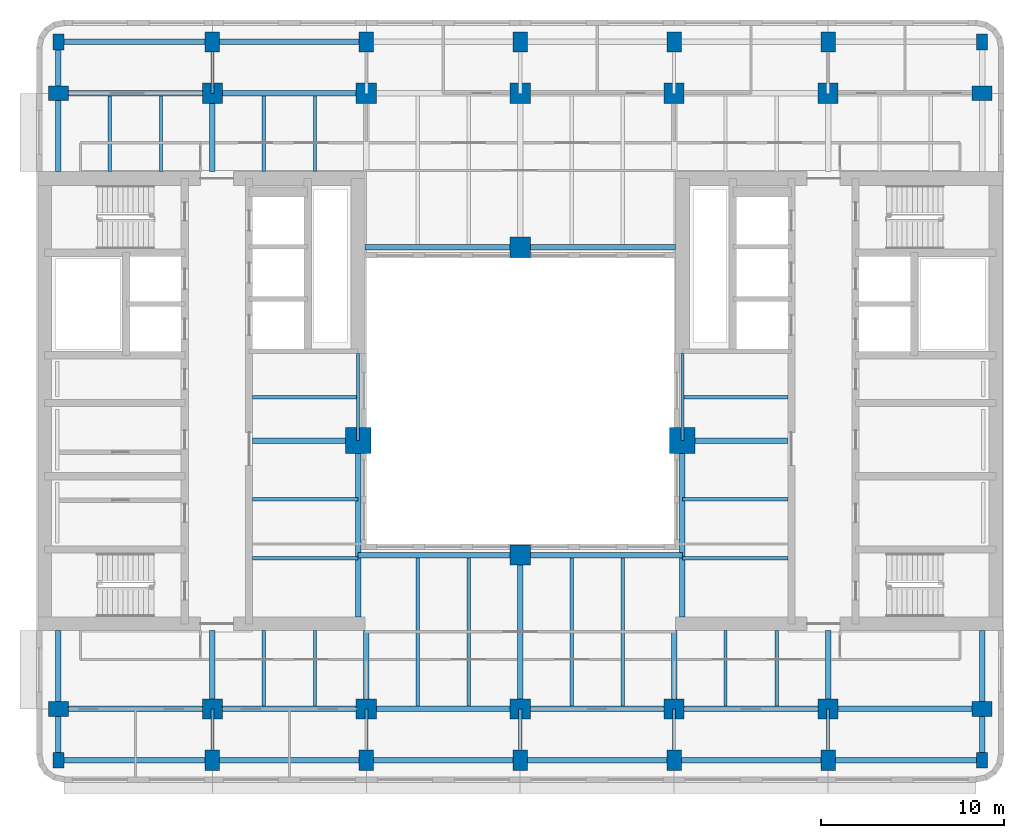
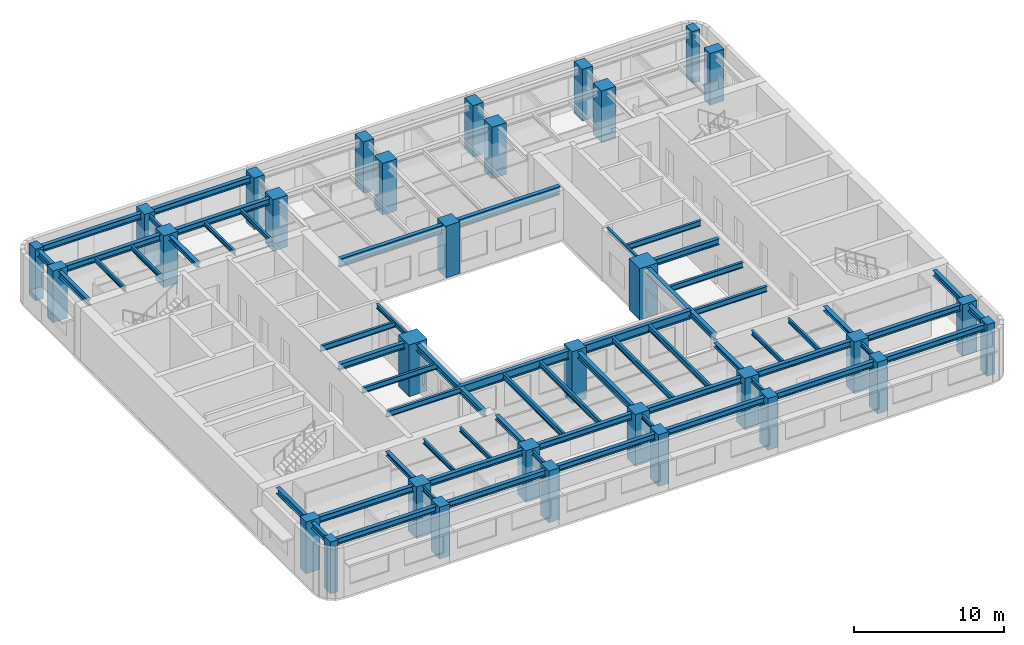
# One storey, part 1 of 11: 62 beams, 32 columns.
"""IFC4 building model written with IfcOpenShell, lengths in metres."""

from ifc_helpers import new_model, si_unit, direction, frame, origin, origin_2d, place, context, subcontext, project, spatial, rectangle, i_section, extrude, material, material_profile, profile_set, type_object, element, save


model = new_model("IFC4")

# Units and contexts
model_context = context("Model", 3, precision=1e-05, world=origin(), true_north=direction((0.0, 1.0)))
body_context = subcontext(model_context, "Body", "Model", "MODEL_VIEW")
ifc_project = project(units=[si_unit("LENGTHUNIT", "METRE"), si_unit("AREAUNIT", "SQUARE_METRE"), si_unit("VOLUMEUNIT", "CUBIC_METRE"), si_unit("PLANEANGLEUNIT", "RADIAN"), si_unit("MASSUNIT", "GRAM", prefix="KILO")], contexts=[model_context])

# Site, building, storey
site_placement = place(None, origin())
site = spatial("IfcSite", under=ifc_project, at=site_placement, CompositionType="ELEMENT")
building_placement = place(site_placement, origin())
building = spatial("IfcBuilding", under=site, at=building_placement, Name="Claustro Exchange Tower", CompositionType="ELEMENT")
storey_placement = place(building_placement, frame((0.0, 0.0, 207.0)))
storey = spatial("IfcBuildingStorey", under=building, at=storey_placement, Name="L47", CompositionType="ELEMENT", Elevation=207.0)

# Columns
ifc_material_1 = material(Name="Concrete HA-70 (C70/85)", Category="concrete")
ifc_material_profile_1 = material_profile(ifc_material_1, rectangle(XDim=1.39990234375, YDim=1.39990234375, at=origin_2d()), Name="RC 1400x1400")
ifc_profile_set_1 = profile_set([ifc_material_profile_1], Name="Concrete HA-70 (C70/85)")
column_type_1 = type_object("IfcColumnType", Name="C0 RC 1400x1400 HA-70 column", PredefinedType="COLUMN", material=ifc_profile_set_1)
for number, where, z_axis, x_axis, name in (
    (1, (16.35009765625, 23.050048828125, 0.0), (0.0, 0.0, 1.0), (1.0, 0.0, 0.0), "Column C0 2+7950/C+6250 L47"),
    (2, (34.050048828125, 23.050048828125, 0.0), (0.0, 0.0, 1.0), (1.0, 0.0, 0.0), "Column C0 5+450/C+6250 L47"),
):
    element("IfcColumn", number, at=place(storey_placement, frame(where, z_axis=z_axis, x_axis=x_axis)), inside=storey, type_object=column_type_1, Name=name, PredefinedType="COLUMN", context=body_context, shape_type="SweptSolid", body=[
        extrude(rectangle(XDim=1.39990234375, YDim=1.39990234375, at=origin_2d()), origin(), (0.0, 0.0, 1.0), 4.199951171875),
    ])
ifc_material_2 = material(Name="Concrete HA-70 (C70/85)", Category="concrete")
ifc_material_profile_2 = material_profile(ifc_material_2, rectangle(XDim=1.10009765625, YDim=1.10009765625, at=origin_2d()), Name="RC 1100x1100")
ifc_profile_set_2 = profile_set([ifc_material_profile_2], Name="Concrete HA-70 (C70/85)")
column_type_2 = type_object("IfcColumnType", Name="C17 RC 1100x1100 HA-70 column", PredefinedType="COLUMN", material=ifc_profile_set_2)
for number, where, z_axis, x_axis, name in (
    (3, (8.39990234375, 8.39990234375, 0.0), (0.0, 0.0, 1.0), (1.0, 0.0, 0.0), "Column C17 2/B L47"),
    (4, (8.39990234375, 42.0, 0.0), (0.0, 0.0, 1.0), (1.0, 0.0, 0.0), "Column C17 2/F L47"),
    (5, (16.800048828125, 8.39990234375, 0.0), (0.0, 0.0, 1.0), (1.0, 0.0, 0.0), "Column C17 3/B L47"),
    (6, (16.800048828125, 42.0, 0.0), (0.0, 0.0, 1.0), (1.0, 0.0, 0.0), "Column C17 3/F L47"),
    (7, (25.199951171875, 8.39990234375, 0.0), (0.0, 0.0, 1.0), (1.0, 0.0, 0.0), "Column C17 4/B L47"),
    (8, (25.199951171875, 42.0, 0.0), (0.0, 0.0, 1.0), (1.0, 0.0, 0.0), "Column C17 4/F L47"),
    (9, (25.199951171875, 16.800048828125, 0.0), (0.0, 0.0, 1.0), (1.0, 0.0, 0.0), "Column C17 4/C L47"),
    (10, (25.199951171875, 33.60009765625, 0.0), (0.0, 0.0, 1.0), (1.0, 0.0, 0.0), "Column C17 4/E L47"),
    (11, (33.60009765625, 8.39990234375, 0.0), (0.0, 0.0, 1.0), (1.0, 0.0, 0.0), "Column C17 5/B L47"),
    (12, (33.60009765625, 42.0, 0.0), (0.0, 0.0, 1.0), (1.0, 0.0, 0.0), "Column C17 5/F L47"),
    (13, (42.0, 8.39990234375, 0.0), (0.0, 0.0, 1.0), (1.0, 0.0, 0.0), "Column C17 6/B L47"),
    (14, (42.0, 42.0, 0.0), (0.0, 0.0, 1.0), (1.0, 0.0, 0.0), "Column C17 6/F L47"),
):
    element("IfcColumn", number, at=place(storey_placement, frame(where, z_axis=z_axis, x_axis=x_axis)), inside=storey, type_object=column_type_2, Name=name, PredefinedType="COLUMN", context=body_context, shape_type="SweptSolid", body=[
        extrude(rectangle(XDim=1.10009765625, YDim=1.10009765625, at=origin_2d()), origin(), (0.0, 0.0, 1.0), 4.199951171875),
    ])
ifc_material_3 = material(Name="Concrete HA-50 (C50/60)", Category="concrete")
ifc_material_profile_3 = material_profile(ifc_material_3, rectangle(XDim=0.800048828125, YDim=1.10009765625, at=origin_2d()), Name="RC 800x1100")
ifc_profile_set_3 = profile_set([ifc_material_profile_3], Name="Concrete HA-50 (C50/60)")
column_type_3 = type_object("IfcColumnType", Name="C23 RC 800x1100 HA-50 perimeter column", PredefinedType="COLUMN", material=ifc_profile_set_3)
for number, where, z_axis, x_axis, name in (
    (15, (0.0, 8.39990234375, 0.0), (0.0, 0.0, 1.0), (0.0, 1.0, 0.0), "Column C23 1/B L47"),
    (16, (0.0, 42.0, 0.0), (0.0, 0.0, 1.0), (0.0, 1.0, 0.0), "Column C23 1/F L47"),
    (17, (8.39990234375, 5.60009765625, 0.0), (0.0, 0.0, 1.0), (1.0, 0.0, 0.0), "Column C23 2/A+5600 L47"),
    (18, (8.39990234375, 44.800048828125, 0.0), (0.0, 0.0, 1.0), (1.0, 0.0, 0.0), "Column C23 2/F+2800 L47"),
    (19, (16.800048828125, 5.60009765625, 0.0), (0.0, 0.0, 1.0), (1.0, 0.0, 0.0), "Column C23 3/A+5600 L47"),
    (20, (16.800048828125, 44.800048828125, 0.0), (0.0, 0.0, 1.0), (1.0, 0.0, 0.0), "Column C23 3/F+2800 L47"),
    (21, (25.199951171875, 5.60009765625, 0.0), (0.0, 0.0, 1.0), (1.0, 0.0, 0.0), "Column C23 4/A+5600 L47"),
    (22, (25.199951171875, 44.800048828125, 0.0), (0.0, 0.0, 1.0), (1.0, 0.0, 0.0), "Column C23 4/F+2800 L47"),
    (23, (33.60009765625, 5.60009765625, 0.0), (0.0, 0.0, 1.0), (1.0, 0.0, 0.0), "Column C23 5/A+5600 L47"),
    (24, (33.60009765625, 44.800048828125, 0.0), (0.0, 0.0, 1.0), (1.0, 0.0, 0.0), "Column C23 5/F+2800 L47"),
    (25, (42.0, 5.60009765625, 0.0), (0.0, 0.0, 1.0), (1.0, 0.0, 0.0), "Column C23 6/A+5600 L47"),
    (26, (42.0, 44.800048828125, 0.0), (0.0, 0.0, 1.0), (1.0, 0.0, 0.0), "Column C23 6/F+2800 L47"),
    (27, (50.39990234375, 8.39990234375, 0.0), (0.0, 0.0, 1.0), (0.0, 1.0, 0.0), "Column C23 7/B L47"),
    (28, (50.39990234375, 42.0, 0.0), (0.0, 0.0, 1.0), (0.0, 1.0, 0.0), "Column C23 7/F L47"),
):
    element("IfcColumn", number, at=place(storey_placement, frame(where, z_axis=z_axis, x_axis=x_axis)), inside=storey, type_object=column_type_3, Name=name, PredefinedType="COLUMN", context=body_context, shape_type="SweptSolid", body=[
        extrude(rectangle(XDim=0.800048828125, YDim=1.10009765625, at=origin_2d()), origin(), (0.0, 0.0, 1.0), 4.199951171875),
    ])
ifc_material_4 = material(Name="Concrete HA-50 (C50/60)", Category="concrete")
ifc_material_profile_4 = material_profile(ifc_material_4, rectangle(XDim=0.60009765625, YDim=0.85009765625, at=origin_2d()), Name="RC 600x850")
ifc_profile_set_4 = profile_set([ifc_material_profile_4], Name="Concrete HA-50 (C50/60)")
column_type_4 = type_object("IfcColumnType", Name="C25 RC 600x850 HA-50 corner column", PredefinedType="COLUMN", material=ifc_profile_set_4)
for number, where, z_axis, x_axis, name in (
    (29, (0.0, 5.60009765625, 0.0), (0.0, 0.0, 1.0), (1.0, 0.0, 0.0), "Column C25 1/A+5600 L47"),
    (30, (0.0, 44.800048828125, 0.0), (0.0, 0.0, 1.0), (1.0, 0.0, 0.0), "Column C25 1/F+2800 L47"),
    (31, (50.39990234375, 5.60009765625, 0.0), (0.0, 0.0, 1.0), (1.0, 0.0, 0.0), "Column C25 7/A+5600 L47"),
    (32, (50.39990234375, 44.800048828125, 0.0), (0.0, 0.0, 1.0), (1.0, 0.0, 0.0), "Column C25 7/F+2800 L47"),
):
    element("IfcColumn", number, at=place(storey_placement, frame(where, z_axis=z_axis, x_axis=x_axis)), inside=storey, type_object=column_type_4, Name=name, PredefinedType="COLUMN", context=body_context, shape_type="SweptSolid", body=[
        extrude(rectangle(XDim=0.60009765625, YDim=0.85009765625, at=origin_2d()), origin(), (0.0, 0.0, 1.0), 4.199951171875),
    ])

# Beams
ifc_material_5 = material(Name="Steel S355", Category="steel")
ifc_material_profile_5 = material_profile(ifc_material_5, i_section(OverallWidth=0.300048828125, OverallDepth=0.68994140625, WebThickness=0.014404296875, FlangeThickness=0.027099609375, FilletRadius=0.027099609375, at=origin_2d()), Name="HE 700 A")
ifc_profile_set_5 = profile_set([ifc_material_profile_5], Name="Steel S355")
beam_type_1 = type_object("IfcBeamType", Name="B13 HE 700 A light well edge girder", PredefinedType="BEAM", material=ifc_profile_set_5)
beam_1_placement = place(storey_placement, frame((16.35009765625, 16.800048828125, 3.705078125), z_axis=(1.0, 0.0, 0.0), x_axis=(0.0, 1.0, 0.0)))
element("IfcBeam", 33, at=beam_1_placement, inside=storey, type_object=beam_type_1, Name="Beam B13 L48", PredefinedType="BEAM", context=body_context, shape_type="SweptSolid", body=[
    extrude(i_section(OverallWidth=0.300048828125, OverallDepth=0.68994140625, WebThickness=0.014404296875, FlangeThickness=0.027099609375, FilletRadius=0.027099609375, at=origin_2d()), origin(), (0.0, 0.0, 1.0), 8.849853515625),
])
beam_2_placement = place(storey_placement, frame((25.199951171875, 16.800048828125, 3.705078125), z_axis=(1.0, 0.0, 0.0), x_axis=(0.0, 1.0, 0.0)))
element("IfcBeam", 34, at=beam_2_placement, inside=storey, type_object=beam_type_1, Name="Beam B13 L48", PredefinedType="BEAM", context=body_context, shape_type="SweptSolid", body=[
    extrude(i_section(OverallWidth=0.300048828125, OverallDepth=0.68994140625, WebThickness=0.014404296875, FlangeThickness=0.027099609375, FilletRadius=0.027099609375, at=origin_2d()), origin(), (0.0, 0.0, 1.0), 8.85009765625),
])
beam_3_placement = place(storey_placement, frame((16.72509765625, 33.60009765625, 3.705078125), z_axis=(1.0, 0.0, 0.0), x_axis=(0.0, 1.0, 0.0)))
element("IfcBeam", 35, at=beam_3_placement, inside=storey, type_object=beam_type_1, Name="Beam B13 L48", PredefinedType="BEAM", context=body_context, shape_type="SweptSolid", body=[
    extrude(i_section(OverallWidth=0.300048828125, OverallDepth=0.68994140625, WebThickness=0.014404296875, FlangeThickness=0.027099609375, FilletRadius=0.027099609375, at=origin_2d()), origin(), (0.0, 0.0, 1.0), 8.474853515625),
])
beam_4_placement = place(storey_placement, frame((25.199951171875, 33.60009765625, 3.705078125), z_axis=(1.0, 0.0, 0.0), x_axis=(0.0, 1.0, 0.0)))
element("IfcBeam", 36, at=beam_4_placement, inside=storey, type_object=beam_type_1, Name="Beam B13 L48", PredefinedType="BEAM", context=body_context, shape_type="SweptSolid", body=[
    extrude(i_section(OverallWidth=0.300048828125, OverallDepth=0.68994140625, WebThickness=0.014404296875, FlangeThickness=0.027099609375, FilletRadius=0.027099609375, at=origin_2d()), origin(), (0.0, 0.0, 1.0), 8.47509765625),
])
ifc_material_6 = material(Name="Steel S355", Category="steel")
ifc_material_profile_6 = material_profile(ifc_material_6, i_section(OverallWidth=0.169921875, OverallDepth=0.360107421875, WebThickness=0.008056640625, FlangeThickness=0.0126953125, FilletRadius=0.01806640625, at=origin_2d()), Name="IPE 360")
ifc_profile_set_6 = profile_set([ifc_material_profile_6], Name="Steel S355")
beam_type_2 = type_object("IfcBeamType", Name="B16 IPE 360 short-span beam", PredefinedType="BEAM", material=ifc_profile_set_6)
beam_5_placement = place(storey_placement, frame((8.39990234375, 5.60009765625, 3.8701171875), z_axis=(0.0, 1.0, 0.0), x_axis=(-1.0, 0.0, 0.0)))
element("IfcBeam", 37, at=beam_5_placement, inside=storey, type_object=beam_type_2, Name="Beam B16 L48", PredefinedType="BEAM", context=body_context, shape_type="SweptSolid", body=[
    extrude(i_section(OverallWidth=0.169921875, OverallDepth=0.360107421875, WebThickness=0.008056640625, FlangeThickness=0.0126953125, FilletRadius=0.01806640625, at=origin_2d()), origin(), (0.0, 0.0, 1.0), 2.7998046875),
])
beam_6_placement = place(storey_placement, frame((8.39990234375, 42.0, 3.8701171875), z_axis=(0.0, 1.0, 0.0), x_axis=(-1.0, 0.0, 0.0)))
element("IfcBeam", 38, at=beam_6_placement, inside=storey, type_object=beam_type_2, Name="Beam B16 L48", PredefinedType="BEAM", context=body_context, shape_type="SweptSolid", body=[
    extrude(i_section(OverallWidth=0.169921875, OverallDepth=0.360107421875, WebThickness=0.008056640625, FlangeThickness=0.0126953125, FilletRadius=0.01806640625, at=origin_2d()), origin(), (0.0, 0.0, 1.0), 2.800048828125),
])
for number, where, z_axis, x_axis, name in (
    (39, (16.800048828125, 5.60009765625, 3.8701171875), (0.0, 1.0, 0.0), (-1.0, 0.0, 0.0), "Beam B16 L48"),
    (40, (25.199951171875, 5.60009765625, 3.8701171875), (0.0, 1.0, 0.0), (-1.0, 0.0, 0.0), "Beam B16 L48"),
    (41, (33.60009765625, 5.60009765625, 3.8701171875), (0.0, 1.0, 0.0), (-1.0, 0.0, 0.0), "Beam B16 L48"),
    (42, (42.0, 5.60009765625, 3.8701171875), (0.0, 1.0, 0.0), (-1.0, 0.0, 0.0), "Beam B16 L48"),
):
    element("IfcBeam", number, at=place(storey_placement, frame(where, z_axis=z_axis, x_axis=x_axis)), inside=storey, type_object=beam_type_2, Name=name, PredefinedType="BEAM", context=body_context, shape_type="SweptSolid", body=[
        extrude(i_section(OverallWidth=0.169921875, OverallDepth=0.360107421875, WebThickness=0.008056640625, FlangeThickness=0.0126953125, FilletRadius=0.01806640625, at=origin_2d()), origin(), (0.0, 0.0, 1.0), 2.7998046875),
    ])
for number, where, z_axis, x_axis, name in (
    (43, (2.800048828125, 37.72509765625, 3.8701171875), (0.0, 1.0, 0.0), (-1.0, 0.0, 0.0), "Beam B16 L48"),
    (44, (5.60009765625, 37.72509765625, 3.8701171875), (0.0, 1.0, 0.0), (-1.0, 0.0, 0.0), "Beam B16 L48"),
    (45, (11.199951171875, 8.550048828125, 3.8701171875), (0.0, 1.0, 0.0), (-1.0, 0.0, 0.0), "Beam B16 L48"),
    (46, (14.0, 8.550048828125, 3.8701171875), (0.0, 1.0, 0.0), (-1.0, 0.0, 0.0), "Beam B16 L48"),
    (47, (11.199951171875, 37.72509765625, 3.8701171875), (0.0, 1.0, 0.0), (-1.0, 0.0, 0.0), "Beam B16 L48"),
    (48, (14.0, 37.72509765625, 3.8701171875), (0.0, 1.0, 0.0), (-1.0, 0.0, 0.0), "Beam B16 L48"),
    (49, (36.39990234375, 8.550048828125, 3.8701171875), (0.0, 1.0, 0.0), (-1.0, 0.0, 0.0), "Beam B16 L48"),
    (50, (39.199951171875, 8.550048828125, 3.8701171875), (0.0, 1.0, 0.0), (-1.0, 0.0, 0.0), "Beam B16 L48"),
):
    element("IfcBeam", number, at=place(storey_placement, frame(where, z_axis=z_axis, x_axis=x_axis)), inside=storey, type_object=beam_type_2, Name=name, PredefinedType="BEAM", context=body_context, shape_type="SweptSolid", body=[
        extrude(i_section(OverallWidth=0.169921875, OverallDepth=0.360107421875, WebThickness=0.008056640625, FlangeThickness=0.0126953125, FilletRadius=0.01806640625, at=origin_2d()), origin(), (0.0, 0.0, 1.0), 4.125),
    ])
for number, where, z_axis, x_axis, name in (
    (51, (16.35009765625, 23.050048828125, 3.8701171875), (0.0, 1.0, 0.0), (-1.0, 0.0, 0.0), "Beam B16 core step framing L48"),
    (52, (34.050048828125, 23.050048828125, 3.8701171875), (0.0, 1.0, 0.0), (-1.0, 0.0, 0.0), "Beam B16 core step framing L48"),
):
    element("IfcBeam", number, at=place(storey_placement, frame(where, z_axis=z_axis, x_axis=x_axis)), inside=storey, type_object=beam_type_2, Name=name, PredefinedType="BEAM", context=body_context, shape_type="SweptSolid", body=[
        extrude(i_section(OverallWidth=0.169921875, OverallDepth=0.360107421875, WebThickness=0.008056640625, FlangeThickness=0.0126953125, FilletRadius=0.01806640625, at=origin_2d()), origin(), (0.0, 0.0, 1.0), 4.75),
    ])
ifc_material_7 = material(Name="Steel S355", Category="steel")
ifc_material_profile_7 = material_profile(ifc_material_7, i_section(OverallWidth=0.300048828125, OverallDepth=0.360107421875, WebThickness=0.012451171875, FlangeThickness=0.0224609375, FilletRadius=0.027099609375, at=origin_2d()), Name="HE 360 B")
ifc_profile_set_7 = profile_set([ifc_material_profile_7], Name="Steel S355")
beam_type_3 = type_object("IfcBeamType", Name="B29 HE 360 B column to core link beam", PredefinedType="BEAM", material=ifc_profile_set_7)
beam_7_placement = place(storey_placement, frame((8.39990234375, 8.39990234375, 3.8701171875), z_axis=(0.0, 1.0, 0.0), x_axis=(-1.0, 0.0, 0.0)))
element("IfcBeam", 53, at=beam_7_placement, inside=storey, type_object=beam_type_3, Name="Beam B29 L48", PredefinedType="BEAM", context=body_context, shape_type="SweptSolid", body=[
    extrude(i_section(OverallWidth=0.300048828125, OverallDepth=0.360107421875, WebThickness=0.012451171875, FlangeThickness=0.0224609375, FilletRadius=0.027099609375, at=origin_2d()), origin(), (0.0, 0.0, 1.0), 4.275146484375),
])
beam_8_placement = place(storey_placement, frame((8.39990234375, 37.72509765625, 3.8701171875), z_axis=(0.0, 1.0, 0.0), x_axis=(-1.0, 0.0, 0.0)))
element("IfcBeam", 54, at=beam_8_placement, inside=storey, type_object=beam_type_3, Name="Beam B29 L48", PredefinedType="BEAM", context=body_context, shape_type="SweptSolid", body=[
    extrude(i_section(OverallWidth=0.300048828125, OverallDepth=0.360107421875, WebThickness=0.012451171875, FlangeThickness=0.0224609375, FilletRadius=0.027099609375, at=origin_2d()), origin(), (0.0, 0.0, 1.0), 4.27490234375),
])
for number, where, z_axis, x_axis, name in (
    (55, (16.800048828125, 8.39990234375, 3.8701171875), (0.0, 1.0, 0.0), (-1.0, 0.0, 0.0), "Beam B29 L48"),
    (56, (33.60009765625, 8.39990234375, 3.8701171875), (0.0, 1.0, 0.0), (-1.0, 0.0, 0.0), "Beam B29 L48"),
    (57, (42.0, 8.39990234375, 3.8701171875), (0.0, 1.0, 0.0), (-1.0, 0.0, 0.0), "Beam B29 L48"),
):
    element("IfcBeam", number, at=place(storey_placement, frame(where, z_axis=z_axis, x_axis=x_axis)), inside=storey, type_object=beam_type_3, Name=name, PredefinedType="BEAM", context=body_context, shape_type="SweptSolid", body=[
        extrude(i_section(OverallWidth=0.300048828125, OverallDepth=0.360107421875, WebThickness=0.012451171875, FlangeThickness=0.0224609375, FilletRadius=0.027099609375, at=origin_2d()), origin(), (0.0, 0.0, 1.0), 4.275146484375),
    ])
ifc_material_8 = material(Name="Steel S355", Category="steel")
ifc_material_profile_8 = material_profile(ifc_material_8, i_section(OverallWidth=0.300048828125, OverallDepth=0.5, WebThickness=0.014404296875, FlangeThickness=0.028076171875, FilletRadius=0.027099609375, at=origin_2d()), Name="HE 500 B")
ifc_profile_set_8 = profile_set([ifc_material_profile_8], Name="Steel S355")
beam_type_4 = type_object("IfcBeamType", Name="B7 HE 500 B floor girder", PredefinedType="BEAM", material=ifc_profile_set_8)
beam_9_placement = place(storey_placement, frame((25.199951171875, 8.39990234375, 3.800048828125), z_axis=(0.0, 1.0, 0.0), x_axis=(-1.0, 0.0, 0.0)))
element("IfcBeam", 58, at=beam_9_placement, inside=storey, type_object=beam_type_4, Name="Beam B7 L48", PredefinedType="BEAM", context=body_context, shape_type="SweptSolid", body=[
    extrude(i_section(OverallWidth=0.300048828125, OverallDepth=0.5, WebThickness=0.014404296875, FlangeThickness=0.028076171875, FilletRadius=0.027099609375, at=origin_2d()), origin(), (0.0, 0.0, 1.0), 8.400146484375),
])
beam_10_placement = place(storey_placement, frame((0.0, 8.39990234375, 3.800048828125), z_axis=(1.0, 0.0, 0.0), x_axis=(0.0, 1.0, 0.0)))
element("IfcBeam", 59, at=beam_10_placement, inside=storey, type_object=beam_type_4, Name="Beam B7 L48", PredefinedType="BEAM", context=body_context, shape_type="SweptSolid", body=[
    extrude(i_section(OverallWidth=0.300048828125, OverallDepth=0.5, WebThickness=0.014404296875, FlangeThickness=0.028076171875, FilletRadius=0.027099609375, at=origin_2d()), origin(), (0.0, 0.0, 1.0), 8.39990234375),
])
beam_11_placement = place(storey_placement, frame((8.39990234375, 8.39990234375, 3.800048828125), z_axis=(1.0, 0.0, 0.0), x_axis=(0.0, 1.0, 0.0)))
element("IfcBeam", 60, at=beam_11_placement, inside=storey, type_object=beam_type_4, Name="Beam B7 L48", PredefinedType="BEAM", context=body_context, shape_type="SweptSolid", body=[
    extrude(i_section(OverallWidth=0.300048828125, OverallDepth=0.5, WebThickness=0.014404296875, FlangeThickness=0.028076171875, FilletRadius=0.027099609375, at=origin_2d()), origin(), (0.0, 0.0, 1.0), 8.400146484375),
])
beam_12_placement = place(storey_placement, frame((16.800048828125, 8.39990234375, 3.800048828125), z_axis=(1.0, 0.0, 0.0), x_axis=(0.0, 1.0, 0.0)))
element("IfcBeam", 61, at=beam_12_placement, inside=storey, type_object=beam_type_4, Name="Beam B7 L48", PredefinedType="BEAM", context=body_context, shape_type="SweptSolid", body=[
    extrude(i_section(OverallWidth=0.300048828125, OverallDepth=0.5, WebThickness=0.014404296875, FlangeThickness=0.028076171875, FilletRadius=0.027099609375, at=origin_2d()), origin(), (0.0, 0.0, 1.0), 8.39990234375),
])
beam_13_placement = place(storey_placement, frame((25.199951171875, 8.39990234375, 3.800048828125), z_axis=(1.0, 0.0, 0.0), x_axis=(0.0, 1.0, 0.0)))
element("IfcBeam", 62, at=beam_13_placement, inside=storey, type_object=beam_type_4, Name="Beam B7 L48", PredefinedType="BEAM", context=body_context, shape_type="SweptSolid", body=[
    extrude(i_section(OverallWidth=0.300048828125, OverallDepth=0.5, WebThickness=0.014404296875, FlangeThickness=0.028076171875, FilletRadius=0.027099609375, at=origin_2d()), origin(), (0.0, 0.0, 1.0), 8.400146484375),
])
for number, where, z_axis, x_axis, name in (
    (63, (33.60009765625, 8.39990234375, 3.800048828125), (1.0, 0.0, 0.0), (0.0, 1.0, 0.0), "Beam B7 L48"),
    (64, (42.0, 8.39990234375, 3.800048828125), (1.0, 0.0, 0.0), (0.0, 1.0, 0.0), "Beam B7 L48"),
    (65, (0.0, 42.0, 3.800048828125), (1.0, 0.0, 0.0), (0.0, 1.0, 0.0), "Beam B7 L48"),
):
    element("IfcBeam", number, at=place(storey_placement, frame(where, z_axis=z_axis, x_axis=x_axis)), inside=storey, type_object=beam_type_4, Name=name, PredefinedType="BEAM", context=body_context, shape_type="SweptSolid", body=[
        extrude(i_section(OverallWidth=0.300048828125, OverallDepth=0.5, WebThickness=0.014404296875, FlangeThickness=0.028076171875, FilletRadius=0.027099609375, at=origin_2d()), origin(), (0.0, 0.0, 1.0), 8.39990234375),
    ])
beam_14_placement = place(storey_placement, frame((8.39990234375, 42.0, 3.800048828125), z_axis=(1.0, 0.0, 0.0), x_axis=(0.0, 1.0, 0.0)))
element("IfcBeam", 66, at=beam_14_placement, inside=storey, type_object=beam_type_4, Name="Beam B7 L48", PredefinedType="BEAM", context=body_context, shape_type="SweptSolid", body=[
    extrude(i_section(OverallWidth=0.300048828125, OverallDepth=0.5, WebThickness=0.014404296875, FlangeThickness=0.028076171875, FilletRadius=0.027099609375, at=origin_2d()), origin(), (0.0, 0.0, 1.0), 8.400146484375),
])
beam_15_placement = place(storey_placement, frame((10.60009765625, 23.050048828125, 3.800048828125), z_axis=(1.0, 0.0, 0.0), x_axis=(0.0, 1.0, 0.0)))
element("IfcBeam", 67, at=beam_15_placement, inside=storey, type_object=beam_type_4, Name="Beam B7 core step framing L48", PredefinedType="BEAM", context=body_context, shape_type="SweptSolid", body=[
    extrude(i_section(OverallWidth=0.300048828125, OverallDepth=0.5, WebThickness=0.014404296875, FlangeThickness=0.028076171875, FilletRadius=0.027099609375, at=origin_2d()), origin(), (0.0, 0.0, 1.0), 5.75),
])
beam_16_placement = place(storey_placement, frame((16.35009765625, 13.425048828125, 3.800048828125), z_axis=(0.0, 1.0, 0.0), x_axis=(-1.0, 0.0, 0.0)))
element("IfcBeam", 68, at=beam_16_placement, inside=storey, type_object=beam_type_4, Name="Beam B7 core step framing L48", PredefinedType="BEAM", context=body_context, shape_type="SweptSolid", body=[
    extrude(i_section(OverallWidth=0.300048828125, OverallDepth=0.5, WebThickness=0.014404296875, FlangeThickness=0.028076171875, FilletRadius=0.027099609375, at=origin_2d()), origin(), (0.0, 0.0, 1.0), 9.625),
])
beam_17_placement = place(storey_placement, frame((34.050048828125, 23.050048828125, 3.800048828125), z_axis=(1.0, 0.0, 0.0), x_axis=(0.0, 1.0, 0.0)))
element("IfcBeam", 69, at=beam_17_placement, inside=storey, type_object=beam_type_4, Name="Beam B7 core step framing L48", PredefinedType="BEAM", context=body_context, shape_type="SweptSolid", body=[
    extrude(i_section(OverallWidth=0.300048828125, OverallDepth=0.5, WebThickness=0.014404296875, FlangeThickness=0.028076171875, FilletRadius=0.027099609375, at=origin_2d()), origin(), (0.0, 0.0, 1.0), 5.75),
])
beam_18_placement = place(storey_placement, frame((34.050048828125, 13.425048828125, 3.800048828125), z_axis=(0.0, 1.0, 0.0), x_axis=(-1.0, 0.0, 0.0)))
element("IfcBeam", 70, at=beam_18_placement, inside=storey, type_object=beam_type_4, Name="Beam B7 core step framing L48", PredefinedType="BEAM", context=body_context, shape_type="SweptSolid", body=[
    extrude(i_section(OverallWidth=0.300048828125, OverallDepth=0.5, WebThickness=0.014404296875, FlangeThickness=0.028076171875, FilletRadius=0.027099609375, at=origin_2d()), origin(), (0.0, 0.0, 1.0), 9.625),
])
ifc_material_9 = material(Name="Steel S355", Category="steel")
ifc_material_profile_9 = material_profile(ifc_material_9, i_section(OverallWidth=0.18994140625, OverallDepth=0.449951171875, WebThickness=0.009521484375, FlangeThickness=0.0146484375, FilletRadius=0.02099609375, at=origin_2d()), Name="IPE 450")
ifc_profile_set_9 = profile_set([ifc_material_profile_9], Name="Steel S355")
beam_type_5 = type_object("IfcBeamType", Name="B8 IPE 450 secondary beam", PredefinedType="BEAM", material=ifc_profile_set_9)
for number, where, z_axis, x_axis, name in (
    (71, (19.60009765625, 8.550048828125, 3.824951171875), (0.0, 1.0, 0.0), (-1.0, 0.0, 0.0), "Beam B8 L48"),
    (72, (22.39990234375, 8.550048828125, 3.824951171875), (0.0, 1.0, 0.0), (-1.0, 0.0, 0.0), "Beam B8 L48"),
    (73, (28.0, 8.550048828125, 3.824951171875), (0.0, 1.0, 0.0), (-1.0, 0.0, 0.0), "Beam B8 L48"),
    (74, (30.800048828125, 8.550048828125, 3.824951171875), (0.0, 1.0, 0.0), (-1.0, 0.0, 0.0), "Beam B8 L48"),
):
    element("IfcBeam", number, at=place(storey_placement, frame(where, z_axis=z_axis, x_axis=x_axis)), inside=storey, type_object=beam_type_5, Name=name, PredefinedType="BEAM", context=body_context, shape_type="SweptSolid", body=[
        extrude(i_section(OverallWidth=0.18994140625, OverallDepth=0.449951171875, WebThickness=0.009521484375, FlangeThickness=0.0146484375, FilletRadius=0.02099609375, at=origin_2d()), origin(), (0.0, 0.0, 1.0), 8.099853515625),
    ])
for number, where, z_axis, x_axis, name in (
    (75, (10.60009765625, 16.63330078125, 3.824951171875), (1.0, 0.0, 0.0), (0.0, 1.0, 0.0), "Beam B8 core step framing L48"),
    (76, (10.60009765625, 19.841796875, 3.824951171875), (1.0, 0.0, 0.0), (0.0, 1.0, 0.0), "Beam B8 core step framing L48"),
    (77, (10.60009765625, 25.425048828125, 3.824951171875), (1.0, 0.0, 0.0), (0.0, 1.0, 0.0), "Beam B8 core step framing L48"),
    (78, (34.050048828125, 16.63330078125, 3.824951171875), (1.0, 0.0, 0.0), (0.0, 1.0, 0.0), "Beam B8 core step framing L48"),
    (79, (34.050048828125, 19.841796875, 3.824951171875), (1.0, 0.0, 0.0), (0.0, 1.0, 0.0), "Beam B8 core step framing L48"),
    (80, (34.050048828125, 25.425048828125, 3.824951171875), (1.0, 0.0, 0.0), (0.0, 1.0, 0.0), "Beam B8 core step framing L48"),
):
    element("IfcBeam", number, at=place(storey_placement, frame(where, z_axis=z_axis, x_axis=x_axis)), inside=storey, type_object=beam_type_5, Name=name, PredefinedType="BEAM", context=body_context, shape_type="SweptSolid", body=[
        extrude(i_section(OverallWidth=0.18994140625, OverallDepth=0.449951171875, WebThickness=0.009521484375, FlangeThickness=0.0146484375, FilletRadius=0.02099609375, at=origin_2d()), origin(), (0.0, 0.0, 1.0), 5.75),
    ])
ifc_material_10 = material(Name="Steel S355", Category="steel")
ifc_material_profile_10 = material_profile(ifc_material_10, i_section(OverallWidth=0.300048828125, OverallDepth=0.489990234375, WebThickness=0.011962890625, FlangeThickness=0.02294921875, FilletRadius=0.027099609375, at=origin_2d()), Name="HE 500 A")
ifc_profile_set_10 = profile_set([ifc_material_profile_10], Name="Steel S355")
beam_type_6 = type_object("IfcBeamType", Name="B9 HE 500 A spandrel edge girder", PredefinedType="SPANDREL", material=ifc_profile_set_10)
beam_19_placement = place(storey_placement, frame((0.0, 5.60009765625, 3.804931640625), z_axis=(0.0, 1.0, 0.0), x_axis=(-1.0, 0.0, 0.0)))
element("IfcBeam", 81, at=beam_19_placement, inside=storey, type_object=beam_type_6, Name="Beam B9 L48", PredefinedType="SPANDREL", context=body_context, shape_type="SweptSolid", body=[
    extrude(i_section(OverallWidth=0.300048828125, OverallDepth=0.489990234375, WebThickness=0.011962890625, FlangeThickness=0.02294921875, FilletRadius=0.027099609375, at=origin_2d()), origin(), (0.0, 0.0, 1.0), 2.7998046875),
])
beam_20_placement = place(storey_placement, frame((0.0, 8.39990234375, 3.804931640625), z_axis=(0.0, 1.0, 0.0), x_axis=(-1.0, 0.0, 0.0)))
element("IfcBeam", 82, at=beam_20_placement, inside=storey, type_object=beam_type_6, Name="Beam B9 L48", PredefinedType="SPANDREL", context=body_context, shape_type="SweptSolid", body=[
    extrude(i_section(OverallWidth=0.300048828125, OverallDepth=0.489990234375, WebThickness=0.011962890625, FlangeThickness=0.02294921875, FilletRadius=0.027099609375, at=origin_2d()), origin(), (0.0, 0.0, 1.0), 4.275146484375),
])
beam_21_placement = place(storey_placement, frame((0.0, 37.72509765625, 3.804931640625), z_axis=(0.0, 1.0, 0.0), x_axis=(-1.0, 0.0, 0.0)))
element("IfcBeam", 83, at=beam_21_placement, inside=storey, type_object=beam_type_6, Name="Beam B9 L48", PredefinedType="SPANDREL", context=body_context, shape_type="SweptSolid", body=[
    extrude(i_section(OverallWidth=0.300048828125, OverallDepth=0.489990234375, WebThickness=0.011962890625, FlangeThickness=0.02294921875, FilletRadius=0.027099609375, at=origin_2d()), origin(), (0.0, 0.0, 1.0), 4.27490234375),
])
beam_22_placement = place(storey_placement, frame((0.0, 42.0, 3.804931640625), z_axis=(0.0, 1.0, 0.0), x_axis=(-1.0, 0.0, 0.0)))
element("IfcBeam", 84, at=beam_22_placement, inside=storey, type_object=beam_type_6, Name="Beam B9 L48", PredefinedType="SPANDREL", context=body_context, shape_type="SweptSolid", body=[
    extrude(i_section(OverallWidth=0.300048828125, OverallDepth=0.489990234375, WebThickness=0.011962890625, FlangeThickness=0.02294921875, FilletRadius=0.027099609375, at=origin_2d()), origin(), (0.0, 0.0, 1.0), 2.800048828125),
])
beam_23_placement = place(storey_placement, frame((50.39990234375, 5.60009765625, 3.804931640625), z_axis=(0.0, 1.0, 0.0), x_axis=(-1.0, 0.0, 0.0)))
element("IfcBeam", 85, at=beam_23_placement, inside=storey, type_object=beam_type_6, Name="Beam B9 L48", PredefinedType="SPANDREL", context=body_context, shape_type="SweptSolid", body=[
    extrude(i_section(OverallWidth=0.300048828125, OverallDepth=0.489990234375, WebThickness=0.011962890625, FlangeThickness=0.02294921875, FilletRadius=0.027099609375, at=origin_2d()), origin(), (0.0, 0.0, 1.0), 2.7998046875),
])
beam_24_placement = place(storey_placement, frame((50.39990234375, 8.39990234375, 3.804931640625), z_axis=(0.0, 1.0, 0.0), x_axis=(-1.0, 0.0, 0.0)))
element("IfcBeam", 86, at=beam_24_placement, inside=storey, type_object=beam_type_6, Name="Beam B9 L48", PredefinedType="SPANDREL", context=body_context, shape_type="SweptSolid", body=[
    extrude(i_section(OverallWidth=0.300048828125, OverallDepth=0.489990234375, WebThickness=0.011962890625, FlangeThickness=0.02294921875, FilletRadius=0.027099609375, at=origin_2d()), origin(), (0.0, 0.0, 1.0), 4.275146484375),
])
beam_25_placement = place(storey_placement, frame((0.0, 5.60009765625, 3.804931640625), z_axis=(1.0, 0.0, 0.0), x_axis=(0.0, 1.0, 0.0)))
element("IfcBeam", 87, at=beam_25_placement, inside=storey, type_object=beam_type_6, Name="Beam B9 L48", PredefinedType="SPANDREL", context=body_context, shape_type="SweptSolid", body=[
    extrude(i_section(OverallWidth=0.300048828125, OverallDepth=0.489990234375, WebThickness=0.011962890625, FlangeThickness=0.02294921875, FilletRadius=0.027099609375, at=origin_2d()), origin(), (0.0, 0.0, 1.0), 8.39990234375),
])
beam_26_placement = place(storey_placement, frame((8.39990234375, 5.60009765625, 3.804931640625), z_axis=(1.0, 0.0, 0.0), x_axis=(0.0, 1.0, 0.0)))
element("IfcBeam", 88, at=beam_26_placement, inside=storey, type_object=beam_type_6, Name="Beam B9 L48", PredefinedType="SPANDREL", context=body_context, shape_type="SweptSolid", body=[
    extrude(i_section(OverallWidth=0.300048828125, OverallDepth=0.489990234375, WebThickness=0.011962890625, FlangeThickness=0.02294921875, FilletRadius=0.027099609375, at=origin_2d()), origin(), (0.0, 0.0, 1.0), 8.400146484375),
])
beam_27_placement = place(storey_placement, frame((16.800048828125, 5.60009765625, 3.804931640625), z_axis=(1.0, 0.0, 0.0), x_axis=(0.0, 1.0, 0.0)))
element("IfcBeam", 89, at=beam_27_placement, inside=storey, type_object=beam_type_6, Name="Beam B9 L48", PredefinedType="SPANDREL", context=body_context, shape_type="SweptSolid", body=[
    extrude(i_section(OverallWidth=0.300048828125, OverallDepth=0.489990234375, WebThickness=0.011962890625, FlangeThickness=0.02294921875, FilletRadius=0.027099609375, at=origin_2d()), origin(), (0.0, 0.0, 1.0), 8.39990234375),
])
beam_28_placement = place(storey_placement, frame((25.199951171875, 5.60009765625, 3.804931640625), z_axis=(1.0, 0.0, 0.0), x_axis=(0.0, 1.0, 0.0)))
element("IfcBeam", 90, at=beam_28_placement, inside=storey, type_object=beam_type_6, Name="Beam B9 L48", PredefinedType="SPANDREL", context=body_context, shape_type="SweptSolid", body=[
    extrude(i_section(OverallWidth=0.300048828125, OverallDepth=0.489990234375, WebThickness=0.011962890625, FlangeThickness=0.02294921875, FilletRadius=0.027099609375, at=origin_2d()), origin(), (0.0, 0.0, 1.0), 8.400146484375),
])
for number, where, z_axis, x_axis, name in (
    (91, (33.60009765625, 5.60009765625, 3.804931640625), (1.0, 0.0, 0.0), (0.0, 1.0, 0.0), "Beam B9 L48"),
    (92, (42.0, 5.60009765625, 3.804931640625), (1.0, 0.0, 0.0), (0.0, 1.0, 0.0), "Beam B9 L48"),
    (93, (0.0, 44.800048828125, 3.804931640625), (1.0, 0.0, 0.0), (0.0, 1.0, 0.0), "Beam B9 L48"),
):
    element("IfcBeam", number, at=place(storey_placement, frame(where, z_axis=z_axis, x_axis=x_axis)), inside=storey, type_object=beam_type_6, Name=name, PredefinedType="SPANDREL", context=body_context, shape_type="SweptSolid", body=[
        extrude(i_section(OverallWidth=0.300048828125, OverallDepth=0.489990234375, WebThickness=0.011962890625, FlangeThickness=0.02294921875, FilletRadius=0.027099609375, at=origin_2d()), origin(), (0.0, 0.0, 1.0), 8.39990234375),
    ])
beam_29_placement = place(storey_placement, frame((8.39990234375, 44.800048828125, 3.804931640625), z_axis=(1.0, 0.0, 0.0), x_axis=(0.0, 1.0, 0.0)))
element("IfcBeam", 94, at=beam_29_placement, inside=storey, type_object=beam_type_6, Name="Beam B9 L48", PredefinedType="SPANDREL", context=body_context, shape_type="SweptSolid", body=[
    extrude(i_section(OverallWidth=0.300048828125, OverallDepth=0.489990234375, WebThickness=0.011962890625, FlangeThickness=0.02294921875, FilletRadius=0.027099609375, at=origin_2d()), origin(), (0.0, 0.0, 1.0), 8.400146484375),
])

save(model, "model.ifc")
